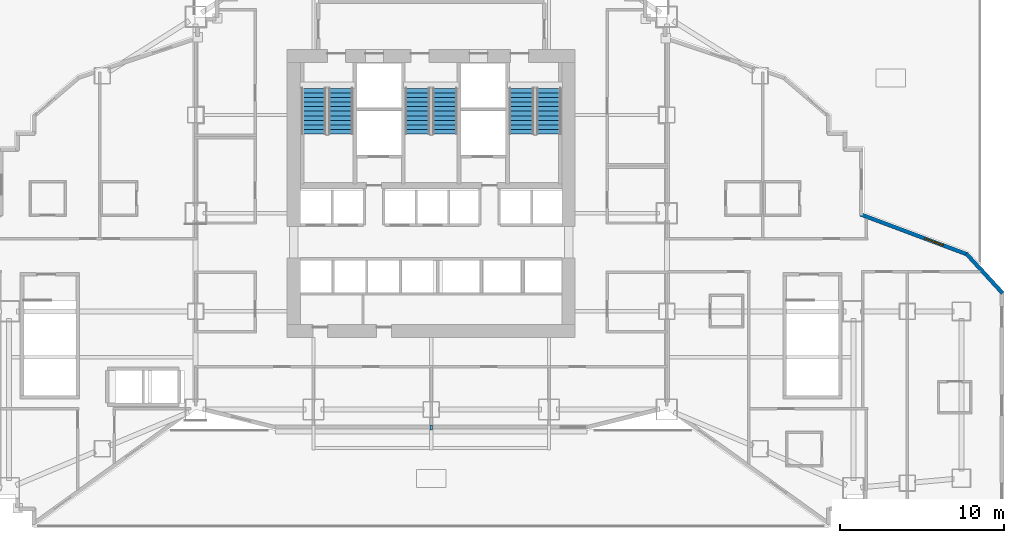
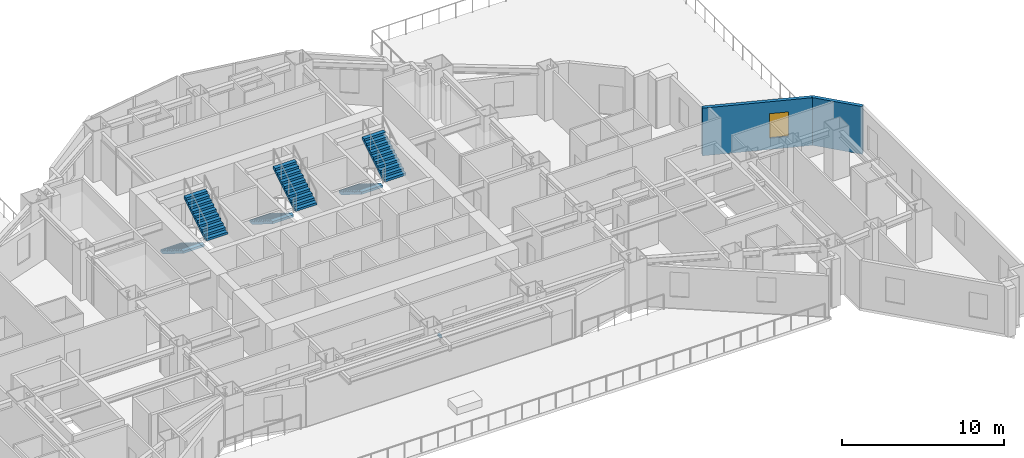
# One storey, part 13 of 20: 6 stair flights, 2 walls, 1 discrete accessory, 1 window, 1 opening, 3 elements without a shape of their own.
"""IFC4 building model written with IfcOpenShell, lengths in metres."""

from ifc_helpers import new_model, si_unit, direction, frame, frame_2d, origin, origin_2d, place, context, subcontext, project, spatial, polyline, rectangle, outline, extrude, material, layer, layer_set, type_object, element, fill, aggregate, save


model = new_model("IFC4")

# Units and contexts
model_context = context("Model", 3, precision=1e-05, world=origin(), true_north=direction((0.0, 1.0)))
body_context = subcontext(model_context, "Body", "Model", "MODEL_VIEW")
ifc_project = project(units=[si_unit("LENGTHUNIT", "METRE"), si_unit("AREAUNIT", "SQUARE_METRE"), si_unit("VOLUMEUNIT", "CUBIC_METRE"), si_unit("PLANEANGLEUNIT", "RADIAN"), si_unit("MASSUNIT", "GRAM", prefix="KILO")], contexts=[model_context])

# Site, building, storey
site_placement = place(None, origin())
site = spatial("IfcSite", under=ifc_project, at=site_placement, CompositionType="ELEMENT")
building_placement = place(site_placement, origin())
building = spatial("IfcBuilding", under=site, at=building_placement, Name="Haolan Belvedere Tower", CompositionType="ELEMENT")
storey_placement = place(building_placement, frame((0.0, 0.0, 24.0)))
storey = spatial("IfcBuildingStorey", under=building, at=storey_placement, Name="L05", CompositionType="ELEMENT", Elevation=24.0)

# Wall
ifc_material_1 = material(Name="Precast concrete C40/50", Category="concrete")
ifc_layer = layer(ifc_material_1, 0.239990234375, Name="Precast concrete C40/50")
ifc_layer_set = layer_set([ifc_layer], Name="Precast concrete C40/50")
wall_type = type_object("IfcWallType", Name="WL-EXT-240", PredefinedType="SOLIDWALL", material=ifc_layer_set)
wall_1_placement = place(storey_placement, frame((73.317138671875, 28.712890625, 0.0), z_axis=(0.0, 0.0, 1.0), x_axis=(-0.675758228752, 0.737123338577, 0.0)))
element("IfcWall", 1, at=wall_1_placement, inside=storey, type_object=wall_type, Name="L05 pale-metal exterior spandrel wall 27.1", PredefinedType="SOLIDWALL", context=body_context, shape_type="SweptSolid", body=[
    extrude(rectangle(XDim=3.290283203125, YDim=0.239990234375, at=frame_2d((1.64501953125, 0.0))), origin(), (0.0, 0.0, 1.0), 3.60009765625),
])

# Wall, opening, window
wall_2_placement = place(storey_placement, frame((71.1826171875, 31.078369140625, 0.0), z_axis=(0.0, 0.0, 1.0), x_axis=(-0.936332044214, 0.351115797106, 0.0)))
wall_2 = element("IfcWall", 2, at=wall_2_placement, inside=storey, type_object=wall_type, Name="L05 pale-metal exterior spandrel wall 28.1", PredefinedType="SOLIDWALL", context=body_context, shape_type="SweptSolid", body=[
    extrude(rectangle(XDim=6.999755859375, YDim=0.239990234375, at=frame_2d((3.5, 0.0))), origin(), (0.0, 0.0, 1.0), 3.60009765625),
])
opening_placement = place(wall_2_placement, frame((1.60009765625, 0.0, 0.85009765625)))
opening = element("IfcOpeningElement", 3, at=opening_placement, cuts=wall_2, Name="Opening W-01", PredefinedType="OPENING", context=body_context, shape_type="SweptSolid", body=[
    extrude(rectangle(XDim=1.199951171875, YDim=1.85009765625, at=frame_2d((0.60009765625, 0.925048828125))), frame((0.0, 0.1298828125, 0.0), z_axis=(0.0, -1.0, 0.0), x_axis=(1.0, 0.0, 0.0)), (0.0, 0.0, 1.0), 0.260009765625),
])
ifc_material_2 = material(Name="Anodised aluminium 6063-T6 and Low-E glass", Category="aluminium")
window_type = type_object("IfcWindowType", Name="WN-DECO-Z1", PartitioningType="SINGLE_PANEL", PredefinedType="WINDOW", material=ifc_material_2)
window_placement = place(opening_placement, origin())
window = element("IfcWindow", 4, at=window_placement, inside=storey, type_object=window_type, Name="L05 Art Deco chevron window 1", OverallHeight=1.85009765625, OverallWidth=1.199951171875, PartitioningType="SINGLE_PANEL", PredefinedType="WINDOW", context=body_context, shape_type="SweptSolid", body=[
    extrude(rectangle(XDim=1.199951171875, YDim=1.85009765625, at=frame_2d((0.60009765625, 0.925048828125))), frame((0.0, 0.030029296875, 0.0), z_axis=(0.0, -1.0, 0.0), x_axis=(1.0, 0.0, 0.0)), (0.0, 0.0, 1.0), 0.06005859375),
])
fill(opening, window)

# Stair, stair flights
ifc_material_3 = material(Name="Concrete C40/50", Category="concrete")
stair_type = type_object("IfcStairType", Name="STR-DL-22R-173", PredefinedType="HALF_TURN_STAIR", material=ifc_material_3)
stair_1_placement = place(storey_placement, origin())
stair_1 = element("IfcStair", 5, at=stair_1_placement, inside=storey, type_object=stair_type, Name="L05 Smokeproof Core Exit Stair ST1", PredefinedType="HALF_TURN_STAIR")
stair_flight_type = type_object("IfcStairFlightType", Name="SFL-DL-11R-173", PredefinedType="STRAIGHT", material=ifc_material_3)
stair_flight_1_placement = place(storey_placement, frame((31.2099609375, 41.22998046875, 0.0), z_axis=(0.0, 0.0, 1.0), x_axis=(0.0, -1.0, 0.0)))
stair_flight_1 = element("IfcStairFlight", 6, at=stair_flight_1_placement, type_object=stair_flight_type, Name="ST1 flight 1", NumberOfRisers=11, NumberOfTreads=10, PredefinedType="STRAIGHT", RiserHeight=0.172727273, TreadLength=0.28, context=body_context, shape_type="SweptSolid", body=[
    extrude(outline(polyline([(0.0, 0.0), (0.0, 0.172607421875), (0.280029296875, 0.172607421875), (0.280029296875, 0.345458984375), (0.56005859375, 0.345458984375), (0.56005859375, 0.51806640625), (0.840087890625, 0.51806640625), (0.840087890625, 0.69091796875), (1.1201171875, 0.69091796875), (1.1201171875, 0.863525390625), (1.39990234375, 0.863525390625), (1.39990234375, 1.036376953125), (1.679931640625, 1.036376953125), (1.679931640625, 1.208984375), (1.9599609375, 1.208984375), (1.9599609375, 1.3818359375), (2.239990234375, 1.3818359375), (2.239990234375, 1.554443359375), (2.52001953125, 1.554443359375), (2.52001953125, 1.727294921875), (2.800048828125, 1.727294921875), (2.800048828125, 1.89990234375), (2.800048828125, 1.551025390625), (0.285400390625, 0.0), (0.0, 0.0)])), frame((0.0, 0.760009765625, 0.0), z_axis=(0.0, -1.0, 0.0), x_axis=(1.0, 0.0, 0.0)), (0.0, 0.0, 1.0), 1.52001953125),
])
stair_flight_2_placement = place(storey_placement, frame((32.8701171875, 38.429931640625, 1.89990234375), z_axis=(0.0, 0.0, 1.0), x_axis=(0.0, 1.0, 0.0)))
stair_flight_2 = element("IfcStairFlight", 7, at=stair_flight_2_placement, type_object=stair_flight_type, Name="ST1 flight 2", NumberOfRisers=11, NumberOfTreads=10, PredefinedType="STRAIGHT", RiserHeight=0.172727273, TreadLength=0.28, context=body_context, shape_type="SweptSolid", body=[
    extrude(outline(polyline([(0.0, 0.0), (0.0, 0.172607421875), (0.280029296875, 0.172607421875), (0.280029296875, 0.345458984375), (0.56005859375, 0.345458984375), (0.56005859375, 0.51806640625), (0.840087890625, 0.51806640625), (0.840087890625, 0.69091796875), (1.1201171875, 0.69091796875), (1.1201171875, 0.863525390625), (1.39990234375, 0.863525390625), (1.39990234375, 1.036376953125), (1.679931640625, 1.036376953125), (1.679931640625, 1.208984375), (1.9599609375, 1.208984375), (1.9599609375, 1.3818359375), (2.239990234375, 1.3818359375), (2.239990234375, 1.554443359375), (2.52001953125, 1.554443359375), (2.52001953125, 1.727294921875), (2.800048828125, 1.727294921875), (2.800048828125, 1.89990234375), (2.800048828125, 1.551025390625), (0.285400390625, 0.0), (0.0, 0.0)])), frame((0.0, 0.760009765625, 0.0), z_axis=(0.0, -1.0, 0.0), x_axis=(1.0, 0.0, 0.0)), (0.0, 0.0, 1.0), 1.52001953125),
])
aggregate(stair_1, [stair_flight_1, stair_flight_2])

stair_2_placement = place(storey_placement, origin())
stair_2 = element("IfcStair", 8, at=stair_2_placement, inside=storey, type_object=stair_type, Name="L05 Smokeproof Core Exit Stair ST3", PredefinedType="HALF_TURN_STAIR")
stair_flight_3_placement = place(storey_placement, frame((37.570068359375, 41.22998046875, 0.0), z_axis=(0.0, 0.0, 1.0), x_axis=(0.0, -1.0, 0.0)))
stair_flight_3 = element("IfcStairFlight", 9, at=stair_flight_3_placement, type_object=stair_flight_type, Name="ST3 flight 1", NumberOfRisers=11, NumberOfTreads=10, PredefinedType="STRAIGHT", RiserHeight=0.172727273, TreadLength=0.28, context=body_context, shape_type="SweptSolid", body=[
    extrude(outline(polyline([(0.0, 0.0), (0.0, 0.172607421875), (0.280029296875, 0.172607421875), (0.280029296875, 0.345458984375), (0.56005859375, 0.345458984375), (0.56005859375, 0.51806640625), (0.840087890625, 0.51806640625), (0.840087890625, 0.69091796875), (1.1201171875, 0.69091796875), (1.1201171875, 0.863525390625), (1.39990234375, 0.863525390625), (1.39990234375, 1.036376953125), (1.679931640625, 1.036376953125), (1.679931640625, 1.208984375), (1.9599609375, 1.208984375), (1.9599609375, 1.3818359375), (2.239990234375, 1.3818359375), (2.239990234375, 1.554443359375), (2.52001953125, 1.554443359375), (2.52001953125, 1.727294921875), (2.800048828125, 1.727294921875), (2.800048828125, 1.89990234375), (2.800048828125, 1.551025390625), (0.285400390625, 0.0), (0.0, 0.0)])), frame((0.0, 0.760009765625, 0.0), z_axis=(0.0, -1.0, 0.0), x_axis=(1.0, 0.0, 0.0)), (0.0, 0.0, 1.0), 1.52001953125),
])
stair_flight_4_placement = place(storey_placement, frame((39.22998046875, 38.429931640625, 1.89990234375), z_axis=(0.0, 0.0, 1.0), x_axis=(0.0, 1.0, 0.0)))
stair_flight_4 = element("IfcStairFlight", 10, at=stair_flight_4_placement, type_object=stair_flight_type, Name="ST3 flight 2", NumberOfRisers=11, NumberOfTreads=10, PredefinedType="STRAIGHT", RiserHeight=0.172727273, TreadLength=0.28, context=body_context, shape_type="SweptSolid", body=[
    extrude(outline(polyline([(0.0, 0.0), (0.0, 0.172607421875), (0.280029296875, 0.172607421875), (0.280029296875, 0.345458984375), (0.56005859375, 0.345458984375), (0.56005859375, 0.51806640625), (0.840087890625, 0.51806640625), (0.840087890625, 0.69091796875), (1.1201171875, 0.69091796875), (1.1201171875, 0.863525390625), (1.39990234375, 0.863525390625), (1.39990234375, 1.036376953125), (1.679931640625, 1.036376953125), (1.679931640625, 1.208984375), (1.9599609375, 1.208984375), (1.9599609375, 1.3818359375), (2.239990234375, 1.3818359375), (2.239990234375, 1.554443359375), (2.52001953125, 1.554443359375), (2.52001953125, 1.727294921875), (2.800048828125, 1.727294921875), (2.800048828125, 1.89990234375), (2.800048828125, 1.551025390625), (0.285400390625, 0.0), (0.0, 0.0)])), frame((0.0, 0.760009765625, 0.0), z_axis=(0.0, -1.0, 0.0), x_axis=(1.0, 0.0, 0.0)), (0.0, 0.0, 1.0), 1.52001953125),
])
aggregate(stair_2, [stair_flight_3, stair_flight_4])

stair_3_placement = place(storey_placement, origin())
stair_3 = element("IfcStair", 11, at=stair_3_placement, inside=storey, type_object=stair_type, Name="L05 Smokeproof Core Exit Stair ST2", PredefinedType="HALF_TURN_STAIR")
stair_flight_5_placement = place(storey_placement, frame((43.929931640625, 41.22998046875, 0.0), z_axis=(0.0, 0.0, 1.0), x_axis=(0.0, -1.0, 0.0)))
stair_flight_5 = element("IfcStairFlight", 12, at=stair_flight_5_placement, type_object=stair_flight_type, Name="ST2 flight 1", NumberOfRisers=11, NumberOfTreads=10, PredefinedType="STRAIGHT", RiserHeight=0.172727273, TreadLength=0.28, context=body_context, shape_type="SweptSolid", body=[
    extrude(outline(polyline([(0.0, 0.0), (0.0, 0.172607421875), (0.280029296875, 0.172607421875), (0.280029296875, 0.345458984375), (0.56005859375, 0.345458984375), (0.56005859375, 0.51806640625), (0.840087890625, 0.51806640625), (0.840087890625, 0.69091796875), (1.1201171875, 0.69091796875), (1.1201171875, 0.863525390625), (1.39990234375, 0.863525390625), (1.39990234375, 1.036376953125), (1.679931640625, 1.036376953125), (1.679931640625, 1.208984375), (1.9599609375, 1.208984375), (1.9599609375, 1.3818359375), (2.239990234375, 1.3818359375), (2.239990234375, 1.554443359375), (2.52001953125, 1.554443359375), (2.52001953125, 1.727294921875), (2.800048828125, 1.727294921875), (2.800048828125, 1.89990234375), (2.800048828125, 1.551025390625), (0.285400390625, 0.0), (0.0, 0.0)])), frame((0.0, 0.760009765625, 0.0), z_axis=(0.0, -1.0, 0.0), x_axis=(1.0, 0.0, 0.0)), (0.0, 0.0, 1.0), 1.52001953125),
])
stair_flight_6_placement = place(storey_placement, frame((45.590087890625, 38.429931640625, 1.89990234375), z_axis=(0.0, 0.0, 1.0), x_axis=(0.0, 1.0, 0.0)))
stair_flight_6 = element("IfcStairFlight", 13, at=stair_flight_6_placement, type_object=stair_flight_type, Name="ST2 flight 2", NumberOfRisers=11, NumberOfTreads=10, PredefinedType="STRAIGHT", RiserHeight=0.172727273, TreadLength=0.28, context=body_context, shape_type="SweptSolid", body=[
    extrude(outline(polyline([(0.0, 0.0), (0.0, 0.172607421875), (0.280029296875, 0.172607421875), (0.280029296875, 0.345458984375), (0.56005859375, 0.345458984375), (0.56005859375, 0.51806640625), (0.840087890625, 0.51806640625), (0.840087890625, 0.69091796875), (1.1201171875, 0.69091796875), (1.1201171875, 0.863525390625), (1.39990234375, 0.863525390625), (1.39990234375, 1.036376953125), (1.679931640625, 1.036376953125), (1.679931640625, 1.208984375), (1.9599609375, 1.208984375), (1.9599609375, 1.3818359375), (2.239990234375, 1.3818359375), (2.239990234375, 1.554443359375), (2.52001953125, 1.554443359375), (2.52001953125, 1.727294921875), (2.800048828125, 1.727294921875), (2.800048828125, 1.89990234375), (2.800048828125, 1.551025390625), (0.285400390625, 0.0), (0.0, 0.0)])), frame((0.0, 0.760009765625, 0.0), z_axis=(0.0, -1.0, 0.0), x_axis=(1.0, 0.0, 0.0)), (0.0, 0.0, 1.0), 1.52001953125),
])
aggregate(stair_3, [stair_flight_5, stair_flight_6])

# Discrete accessory
ifc_material_4 = material(Name="Stainless steel 316L", Category="steel")
discrete_accessory_type = type_object("IfcDiscreteAccessoryType", Name="ACC-BRK-SUN", PredefinedType="BRACKET", material=ifc_material_4)
discrete_accessory_placement = place(storey_placement, frame((38.39990234375, 20.5, 3.3701171875), z_axis=(0.0, 0.0, 1.0), x_axis=(1.0, 0.0, 0.0)))
element("IfcDiscreteAccessory", 14, at=discrete_accessory_placement, inside=storey, type_object=discrete_accessory_type, Name="L05 sunshade support bracket 13.1", PredefinedType="BRACKET", context=body_context, shape_type="SweptSolid", body=[
    extrude(rectangle(XDim=0.139892578125, YDim=0.300048828125, at=origin_2d()), origin(), (0.0, 0.0, 1.0), 0.179931640625),
])

save(model, "model.ifc")
